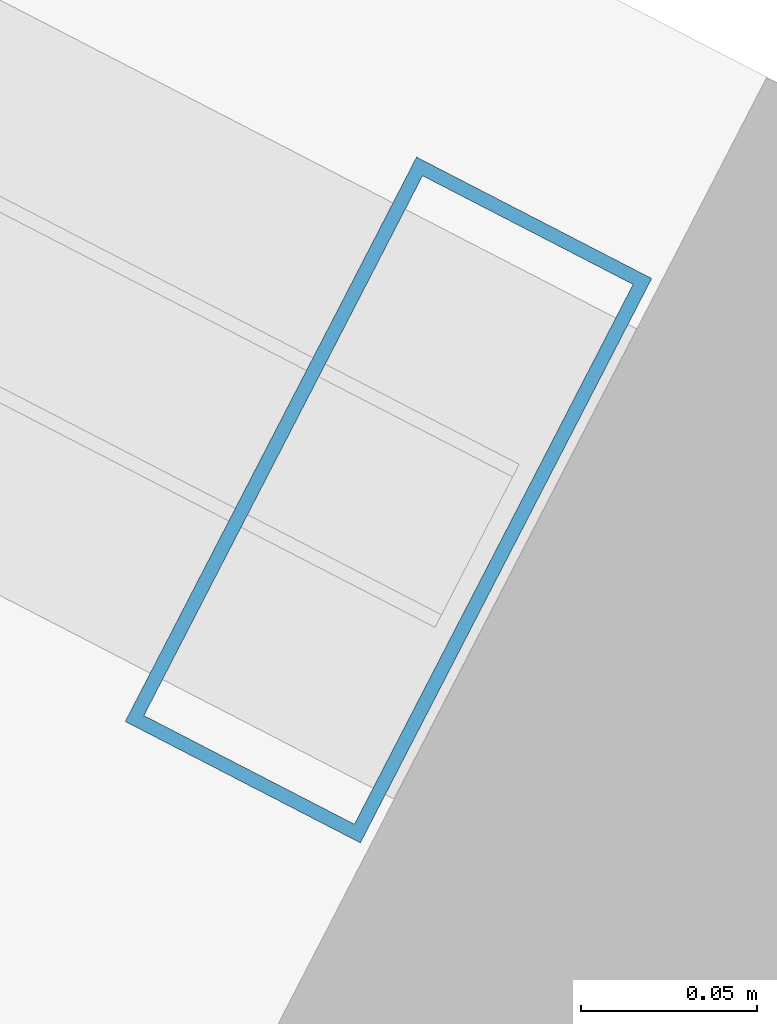
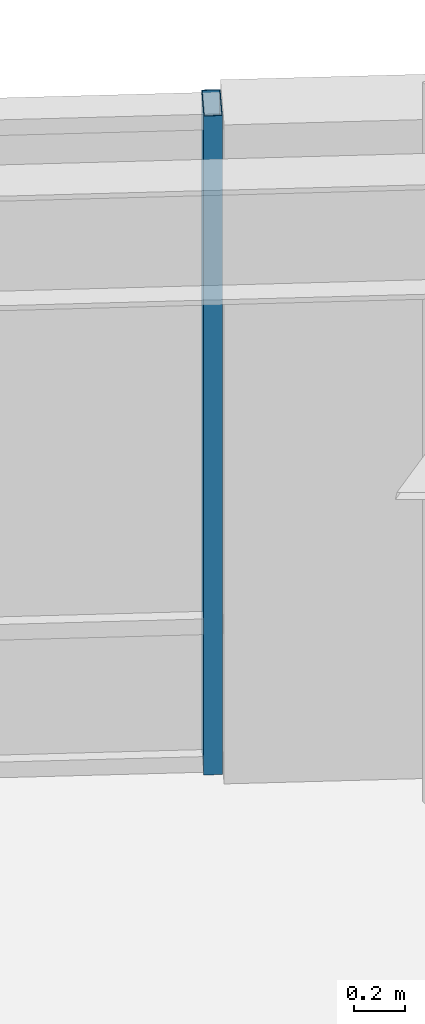
# One storey, part 4 of 11: 1 member, 1 element without a shape of its own.
"""IFC4 building model written with IfcOpenShell, lengths in metres."""

import ifcopenshell
import ifcopenshell.guid

model = None  # the IFC model being written
_history = None  # IfcOwnerHistory: only IFC2X3 demands one
_inside = {}  # id of a spatial element -> (the spatial element, [elements in it])
_under = {}  # id of a project, library or spatial element -> (it, [spatial elements below it])
_declared = {}  # id of a project -> (the project, [libraries it declares])
_typed = {}  # id of a type object -> (the type object, [elements of that type])
_made_of = {}  # id of a material, layer set ... -> (it, [elements and type objects made of it])


def new_model(schema):
    """Start an empty IFC model of exactly this schema.

    Asked for "IFC4X3", IfcOpenShell would pick the latest addendum, in which some entities
    have other attributes; the version numbers below select the first issue.
    IFC2X3 requires an IfcOwnerHistory on every rooted entity: one is made here for all.
    """
    global model, _history
    if schema == "IFC4X3":
        model = ifcopenshell.file(schema_version=(4, 3, 0, 0))
    else:
        model = ifcopenshell.file(schema=schema)
    _inside.clear()
    _under.clear()
    _declared.clear()
    _typed.clear()
    _made_of.clear()
    _history = None
    if model.schema == "IFC2X3":
        org = make("IfcOrganization", Name="unknown")
        user = make(
            "IfcPersonAndOrganization",
            ThePerson=make("IfcPerson", FamilyName="unknown"),
            TheOrganization=org,
        )
        app = make(
            "IfcApplication",
            ApplicationDeveloper=org,
            Version="unknown",
            ApplicationFullName="unknown",
            ApplicationIdentifier="unknown",
        )
        _history = make(
            "IfcOwnerHistory",
            OwningUser=user,
            OwningApplication=app,
            ChangeAction="ADDED",
            CreationDate=0,
        )
    return model


def make(cls, **values):
    """One entity of the class cls with the attributes given. An attribute that is None is left unset."""
    return model.create_entity(
        cls, **{name: value for name, value in values.items() if value is not None}
    )


def rooted(cls, **values):
    """An entity with a GlobalId (a new one), such as an element, a storey or a relation."""
    return make(cls, GlobalId=ifcopenshell.guid.new(), OwnerHistory=_history, **values)


def si_unit(unit_type, name, prefix=None):
    """IfcSIUnit, for example si_unit("LENGTHUNIT", "METRE", prefix="MILLI")."""
    return make("IfcSIUnit", UnitType=unit_type, Prefix=prefix, Name=name)


def assignment(units):
    """IfcUnitAssignment: the units of a project."""
    return None if units is None else make("IfcUnitAssignment", Units=units)


def point(xyz):
    """IfcCartesianPoint."""
    return None if xyz is None else make("IfcCartesianPoint", Coordinates=xyz)


def direction(xyz):
    """IfcDirection."""
    return None if xyz is None else make("IfcDirection", DirectionRatios=xyz)


def frame(location, z_axis=None, x_axis=None):
    """IfcAxis2Placement3D, a coordinate frame: its origin and axes. An axis left out is left unset."""
    return make(
        "IfcAxis2Placement3D",
        Location=point(location),
        Axis=direction(z_axis),
        RefDirection=direction(x_axis),
    )


def frame_2d(location, x_axis=None):
    """IfcAxis2Placement2D, a coordinate frame in the plane: its origin and x axis."""
    return make(
        "IfcAxis2Placement2D", Location=point(location), RefDirection=direction(x_axis)
    )


def origin():
    """The frame at (0, 0, 0) with its axes left unset."""
    return frame((0.0, 0.0, 0.0))


def origin_2d():
    """The frame at (0, 0) in the plane with its x axis left unset."""
    return frame_2d((0.0, 0.0))


def place(relative_to, where):
    """IfcLocalPlacement: puts the frame where relative to a parent placement (None: the world)."""
    return make(
        "IfcLocalPlacement", PlacementRelTo=relative_to, RelativePlacement=where
    )


def context(
    kind, dimensions, precision=None, world=None, true_north=None, identifier=None
):
    """IfcGeometricRepresentationContext, for example the 3D "Model" context."""
    return make(
        "IfcGeometricRepresentationContext",
        ContextIdentifier=identifier,
        ContextType=kind,
        CoordinateSpaceDimension=dimensions,
        Precision=precision,
        WorldCoordinateSystem=world,
        TrueNorth=true_north,
    )


def subcontext(parent, identifier, kind, view, scale=None):
    """IfcGeometricRepresentationSubContext, for example "Body" below "Model"."""
    return make(
        "IfcGeometricRepresentationSubContext",
        ContextIdentifier=identifier,
        ContextType=kind,
        ParentContext=parent,
        TargetScale=scale,
        TargetView=view,
    )


def project(units=None, contexts=None):
    """IfcProject with its units and contexts."""
    return rooted(
        "IfcProject",
        Name="project",
        RepresentationContexts=contexts,
        UnitsInContext=assignment(units),
    )


def spatial(cls, under=None, at=None, **own):
    """A site, building, storey or space (cls), placed at a placement, below another one or the project."""
    s = rooted(cls, ObjectPlacement=at, **own)
    if under is not None:
        _under.setdefault(under.id(), (under, []))[1].append(s)
    return s


def profile(cls, at=None, kind="AREA", **sizes):
    """A parametric profile (cls). Its sizes go by their IFC names, for example OverallWidth=200.0."""
    return make(cls, ProfileType=kind, Position=at, **sizes)


def hollow_rectangle(**sizes):
    """IfcRectangleHollowProfileDef."""
    return profile("IfcRectangleHollowProfileDef", **sizes)


def extrude(swept, where, along, depth):
    """IfcExtrudedAreaSolid: the profile swept, set in the frame where, extruded along a direction by depth."""
    return make(
        "IfcExtrudedAreaSolid",
        SweptArea=swept,
        Position=where,
        ExtrudedDirection=direction(along),
        Depth=depth,
    )


def shape(context_of_items, identifier, shape_type, items):
    """IfcShapeRepresentation: the items that make up one representation, for example the "Body"."""
    return make(
        "IfcShapeRepresentation",
        ContextOfItems=context_of_items,
        RepresentationIdentifier=identifier,
        RepresentationType=shape_type,
        Items=items,
    )


def material(Name=None, Category=None):
    """IfcMaterial."""
    return make("IfcMaterial", Name=Name, Category=Category)


def layer(
    of_material, thickness, ventilated=None, Name=None, Category=None, Priority=None
):
    """IfcMaterialLayer: one layer of a wall or slab, of a material (None: an air gap)."""
    return make(
        "IfcMaterialLayer",
        Material=of_material,
        LayerThickness=thickness,
        IsVentilated=ventilated,
        Name=Name,
        Category=Category,
        Priority=Priority,
    )


def layer_set(layers, Name=None):
    """IfcMaterialLayerSet."""
    return make("IfcMaterialLayerSet", MaterialLayers=layers, LayerSetName=Name)


def material_profile(
    of_material, cross_section, Name=None, Category=None, Priority=None
):
    """IfcMaterialProfile: a cross section and its material."""
    return make(
        "IfcMaterialProfile",
        Name=Name,
        Material=of_material,
        Profile=cross_section,
        Priority=Priority,
        Category=Category,
    )


def profile_set(profiles, Name=None, composite=None):
    """IfcMaterialProfileSet."""
    return make(
        "IfcMaterialProfileSet",
        Name=Name,
        MaterialProfiles=profiles,
        CompositeProfile=composite,
    )


def made_of(thing, what):
    """Note that an element or type object is made of a material, layer set ...; save() writes the relation."""
    if what is not None:
        _made_of.setdefault(what.id(), (what, []))[1].append(thing)
    return thing


def type_object(cls, material=None, **own):
    """A type object (cls), such as IfcWallType, which elements share."""
    return made_of(rooted(cls, **own), material)


def element(
    cls,
    number,
    at=None,
    inside=None,
    cuts=None,
    type_object=None,
    material=None,
    context=None,
    identifier="Body",
    shape_type=None,
    held_by="IfcProductDefinitionShape",
    body=None,
    shapes=None,
    **own,
):
    """One element of the class cls, such as IfcWall. Its Tag is "e" and its number.

    at: its placement. inside: the storey or other place that contains it. cuts: it is an
    opening in that element (IfcRelVoidsElement). A single representation is given by context,
    identifier, shape_type and body (its items); several are given by shapes. held_by: the class
    of the entity that holds the representations. save() writes the other relations.
    """
    e = rooted(cls, Tag="e%d" % number, ObjectPlacement=at, **own)
    if body is not None:
        shapes = [shape(context, identifier, shape_type, body)]
    if shapes is not None:
        e.Representation = make(held_by, Representations=shapes)
    if inside is not None:
        _inside.setdefault(inside.id(), (inside, []))[1].append(e)
    if cuts is not None:
        rooted(
            "IfcRelVoidsElement", RelatingBuildingElement=cuts, RelatedOpeningElement=e
        )
    if type_object is not None:
        _typed.setdefault(type_object.id(), (type_object, []))[1].append(e)
    return made_of(e, material)


def aggregate(whole, parts):
    """IfcRelAggregates: a whole, such as a stair, and the parts it consists of."""
    return rooted("IfcRelAggregates", RelatingObject=whole, RelatedObjects=parts)


def save(model, path):
    """Write the relations noted so far, then the file.

    IfcRelAggregates (storeys below a building ...), IfcRelContainedInSpatialStructure (elements
    in a storey), IfcRelDefinesByType, IfcRelAssociatesMaterial and IfcRelDeclares: one each for
    every whole, place, type object, material and project.
    """
    for whole, parts in _under.values():
        aggregate(whole, parts)
    for where, things in _inside.values():
        rooted(
            "IfcRelContainedInSpatialStructure",
            RelatedElements=things,
            RelatingStructure=where,
        )
    for kind, things in _typed.values():
        rooted("IfcRelDefinesByType", RelatedObjects=things, RelatingType=kind)
    for what, things in _made_of.values():
        rooted("IfcRelAssociatesMaterial", RelatedObjects=things, RelatingMaterial=what)
    for by, libraries in _declared.values():
        rooted("IfcRelDeclares", RelatingContext=by, RelatedDefinitions=libraries)
    model.write(path)


model = new_model("IFC4")

# Units and contexts
model_context = context("Model", 3, precision=1e-05, world=origin(), true_north=direction((0.0, 1.0)))
body_context = subcontext(model_context, "Body", "Model", "MODEL_VIEW")
ifc_project = project(units=[si_unit("LENGTHUNIT", "METRE"), si_unit("AREAUNIT", "SQUARE_METRE"), si_unit("VOLUMEUNIT", "CUBIC_METRE"), si_unit("PLANEANGLEUNIT", "RADIAN"), si_unit("MASSUNIT", "GRAM", prefix="KILO"), si_unit("THERMODYNAMICTEMPERATUREUNIT", "KELVIN"), si_unit("POWERUNIT", "WATT")], contexts=[model_context])

# Site, building, storey
site_placement = place(None, origin())
site = spatial("IfcSite", under=ifc_project, at=site_placement, CompositionType="ELEMENT")
building_placement = place(site_placement, origin())
building = spatial("IfcBuilding", under=site, at=building_placement, Name="Skarre Station Tower", CompositionType="ELEMENT")
storey_placement = place(building_placement, frame((0.0, 0.0, 170.550048828125)))
storey = spatial("IfcBuildingStorey", under=building, at=storey_placement, Name="L46", CompositionType="ELEMENT", Elevation=170.550048828125)

# Curtain wall, member
ifc_material_1 = material(Name="Thermally Broken Bronze-Anodized Aluminium & Triple Low-E Glass", Category="aluminium")
ifc_layer = layer(ifc_material_1, 0.18994140625, Name="Thermally Broken Bronze-Anodized Aluminium & Triple Low-E Glass")
ifc_layer_set = layer_set([ifc_layer], Name="Thermally Broken Bronze-Anodized Aluminium & Triple Low-E Glass")
curtain_wall_type = type_object("IfcCurtainWallType", Name="Sky-Garden Setback Conservatory Curtain Wall", PredefinedType="NOTDEFINED", material=ifc_layer_set)
curtain_wall_placement = place(storey_placement, origin())
curtain_wall = element("IfcCurtainWall", 1, at=curtain_wall_placement, inside=storey, type_object=curtain_wall_type, Name="L46 Facet 0 Conservatory Curtain Wall", PredefinedType="NOTDEFINED")
ifc_material_2 = material(Name="Anodized Aluminium 6063-T6", Category="aluminium")
ifc_material_profile = material_profile(ifc_material_2, hollow_rectangle(XDim=0.074951171875, YDim=0.179931640625, WallThickness=0.00390625, at=origin_2d()), Name="Anodized Aluminium 6063-T6")
ifc_profile_set = profile_set([ifc_material_profile], Name="Anodized Aluminium 6063-T6")
member_type = type_object("IfcMemberType", Name="Curtain-Wall Unitised Tower Mullion 180x75", PredefinedType="MULLION", material=ifc_profile_set)
member_placement = place(storey_placement, frame((47.569091796875, 37.33203125, 0.0), z_axis=(0.0, 0.0, 1.0), x_axis=(0.888593216602, -0.458696081745, 0.0)))
member = element("IfcMember", 2, at=member_placement, type_object=member_type, Name="L46 Facet 0 Conservatory Curtain Wall Mullion 4", PredefinedType="MULLION", context=body_context, shape_type="SweptSolid", body=[
    extrude(hollow_rectangle(XDim=0.074951171875, YDim=0.179931640625, WallThickness=0.00390625, at=origin_2d()), origin(), (0.0, 0.0, 1.0), 3.159912109375),
])
aggregate(curtain_wall, [member])

save(model, "model.ifc")
